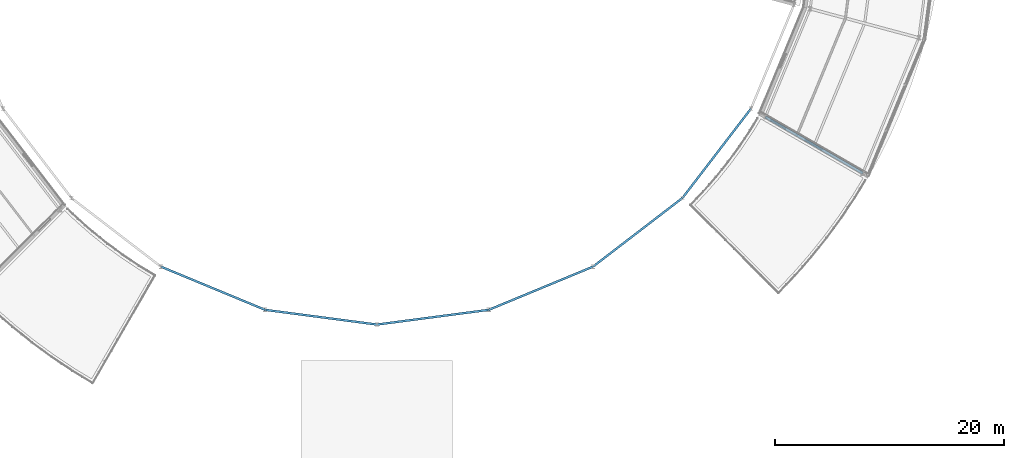
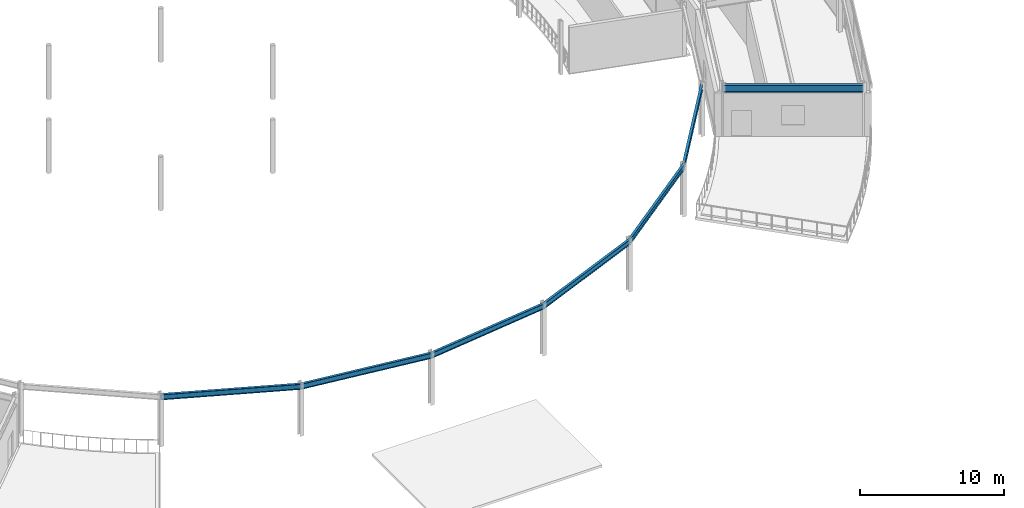
# One storey, part 36 of 133: 7 beams.
"""IFC4 building model written with IfcOpenShell, lengths in metres."""

from ifc_helpers import new_model, si_unit, direction, frame, origin, origin_2d, place, context, subcontext, project, spatial, i_section, extrude, material, material_profile, profile_set, type_object, element, save


model = new_model("IFC4")

# Units and contexts
model_context = context("Model", 3, precision=1e-05, world=origin(), true_north=direction((0.0, 1.0)))
body_context = subcontext(model_context, "Body", "Model", "MODEL_VIEW")
ifc_project = project(units=[si_unit("LENGTHUNIT", "METRE"), si_unit("AREAUNIT", "SQUARE_METRE"), si_unit("VOLUMEUNIT", "CUBIC_METRE"), si_unit("PLANEANGLEUNIT", "RADIAN"), si_unit("MASSUNIT", "GRAM", prefix="KILO")], contexts=[model_context])

# Site, building, storey
site_placement = place(None, origin())
site = spatial("IfcSite", under=ifc_project, at=site_placement, CompositionType="ELEMENT")
building_placement = place(site_placement, origin())
building = spatial("IfcBuilding", under=site, at=building_placement, Name="Almandine Court Research Institute", CompositionType="ELEMENT")
storey_placement = place(building_placement, frame((0.0, 0.0, 9.800048828125)))
storey = spatial("IfcBuildingStorey", under=building, at=storey_placement, Name="L02", CompositionType="ELEMENT", Elevation=9.800048828125)

# Beams
ifc_material = material(Name="Steel ASTM A992 Grade 50", Category="steel")
ifc_material_profile_1 = material_profile(ifc_material, i_section(OverallWidth=0.18994140625, OverallDepth=0.45703125, WebThickness=0.009033203125, FlangeThickness=0.014892578125, at=origin_2d()), Name="W460x74")
ifc_profile_set_1 = profile_set([ifc_material_profile_1], Name="Steel ASTM A992 Grade 50")
beam_type_1 = type_object("IfcBeamType", Name="Beam-B-01", PredefinedType="BEAM", material=ifc_profile_set_1)
beam_1_placement = place(storey_placement, frame((68.175048828125, 23.39404296875, 4.140869140625), z_axis=(0.92387967829, -0.382683080424, 0.0), x_axis=(0.382683080424, 0.92387967829, 0.0)))
element("IfcBeam", 1, at=beam_1_placement, inside=storey, type_object=beam_type_1, Name="L02 Atrium Outer Ring Beam", PredefinedType="BEAM", context=body_context, shape_type="SweptSolid", body=[
    extrude(i_section(OverallWidth=0.18994140625, OverallDepth=0.45703125, WebThickness=0.009033203125, FlangeThickness=0.014892578125, at=origin_2d()), origin(), (0.0, 0.0, 1.0), 9.827880859375),
])
for number, where, z_axis, x_axis, name in (
    (2, (77.2548828125, 19.633056640625, 4.140869140625), (0.991444993461, -0.130525188913, 0.0), (0.130525188913, 0.991444993461, 0.0), "L02 Atrium Outer Ring Beam"),
    (3, (87.0, 18.35009765625, 4.140869140625), (0.991444993461, 0.130525188913, 0.0), (-0.130525188913, 0.991444993461, 0.0), "L02 Atrium Outer Ring Beam"),
):
    element("IfcBeam", number, at=place(storey_placement, frame(where, z_axis=z_axis, x_axis=x_axis)), inside=storey, type_object=beam_type_1, Name=name, PredefinedType="BEAM", context=body_context, shape_type="SweptSolid", body=[
        extrude(i_section(OverallWidth=0.18994140625, OverallDepth=0.45703125, WebThickness=0.009033203125, FlangeThickness=0.014892578125, at=origin_2d()), origin(), (0.0, 0.0, 1.0), 9.8291015625),
    ])
beam_2_placement = place(storey_placement, frame((96.7451171875, 19.633056640625, 4.140869140625), z_axis=(0.92387967829, 0.382683080424, 0.0), x_axis=(-0.382683080424, 0.92387967829, 0.0)))
element("IfcBeam", 4, at=beam_2_placement, inside=storey, type_object=beam_type_1, Name="L02 Atrium Outer Ring Beam", PredefinedType="BEAM", context=body_context, shape_type="SweptSolid", body=[
    extrude(i_section(OverallWidth=0.18994140625, OverallDepth=0.45703125, WebThickness=0.009033203125, FlangeThickness=0.014892578125, at=origin_2d()), origin(), (0.0, 0.0, 1.0), 9.827880859375),
])
for number, where, z_axis, x_axis, name in (
    (5, (105.824951171875, 23.39404296875, 4.140869140625), (0.793391623282, 0.608711534396, 0.0), (-0.608711534396, 0.793391623282, 0.0), "L02 Atrium Outer Ring Beam"),
    (6, (113.623046875, 29.376953125, 4.140869140625), (0.608711534396, 0.793391623282, 0.0), (-0.793391623282, 0.608711534396, 0.0), "L02 Atrium Outer Ring Beam"),
):
    element("IfcBeam", number, at=place(storey_placement, frame(where, z_axis=z_axis, x_axis=x_axis)), inside=storey, type_object=beam_type_1, Name=name, PredefinedType="BEAM", context=body_context, shape_type="SweptSolid", body=[
        extrude(i_section(OverallWidth=0.18994140625, OverallDepth=0.45703125, WebThickness=0.009033203125, FlangeThickness=0.014892578125, at=origin_2d()), origin(), (0.0, 0.0, 1.0), 9.828857421875),
    ])
ifc_material_profile_2 = material_profile(ifc_material, i_section(OverallWidth=0.22998046875, OverallDepth=0.616943359375, WebThickness=0.012939453125, FlangeThickness=0.02197265625, at=origin_2d()), Name="W610x140")
ifc_profile_set_2 = profile_set([ifc_material_profile_2], Name="Steel ASTM A992 Grade 50")
beam_type_2 = type_object("IfcBeamType", Name="Beam-G-02", PredefinedType="BEAM", material=ifc_profile_set_2)
beam_3_placement = place(storey_placement, frame((120.862060546875, 36.449951171875, 4.013916015625), z_axis=(0.866030014362, -0.49999201416, 0.0), x_axis=(0.49999201416, 0.866030014362, 0.0)))
element("IfcBeam", 7, at=beam_3_placement, inside=storey, type_object=beam_type_2, Name="L02 Drum Radial Girder 22", PredefinedType="BEAM", context=body_context, shape_type="SweptSolid", body=[
    extrude(i_section(OverallWidth=0.22998046875, OverallDepth=0.616943359375, WebThickness=0.012939453125, FlangeThickness=0.02197265625, at=origin_2d()), origin(), (0.0, 0.0, 1.0), 9.800048828125),
])

save(model, "model.ifc")
